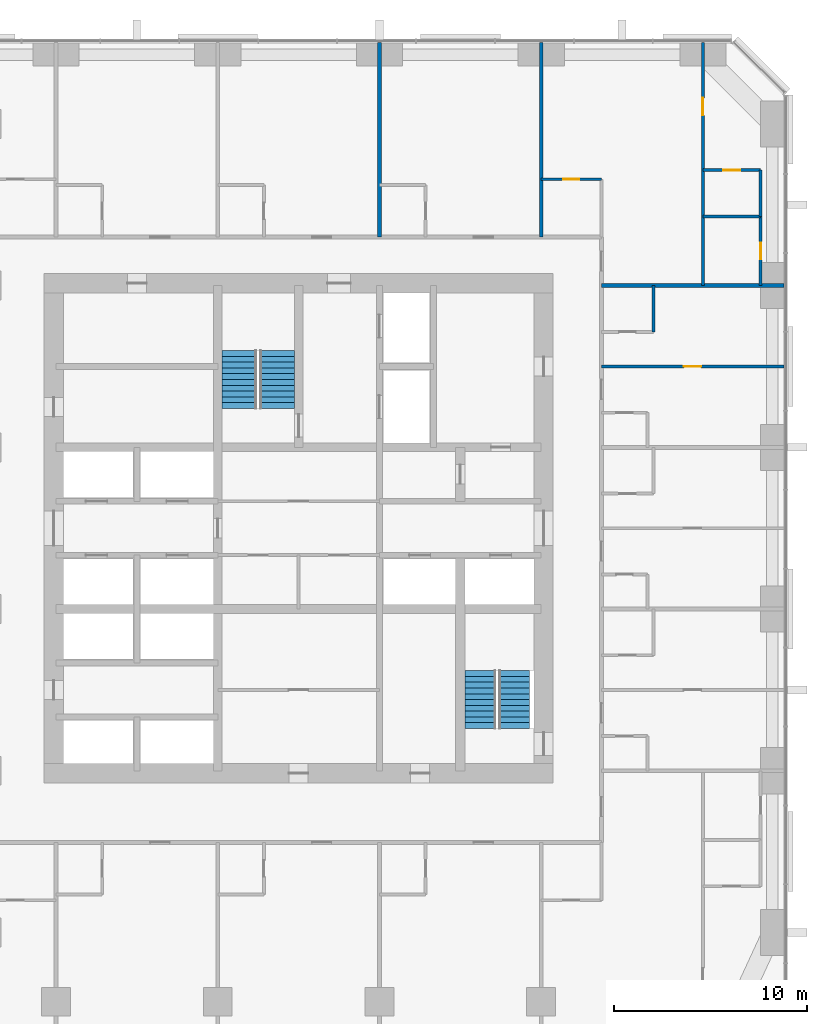
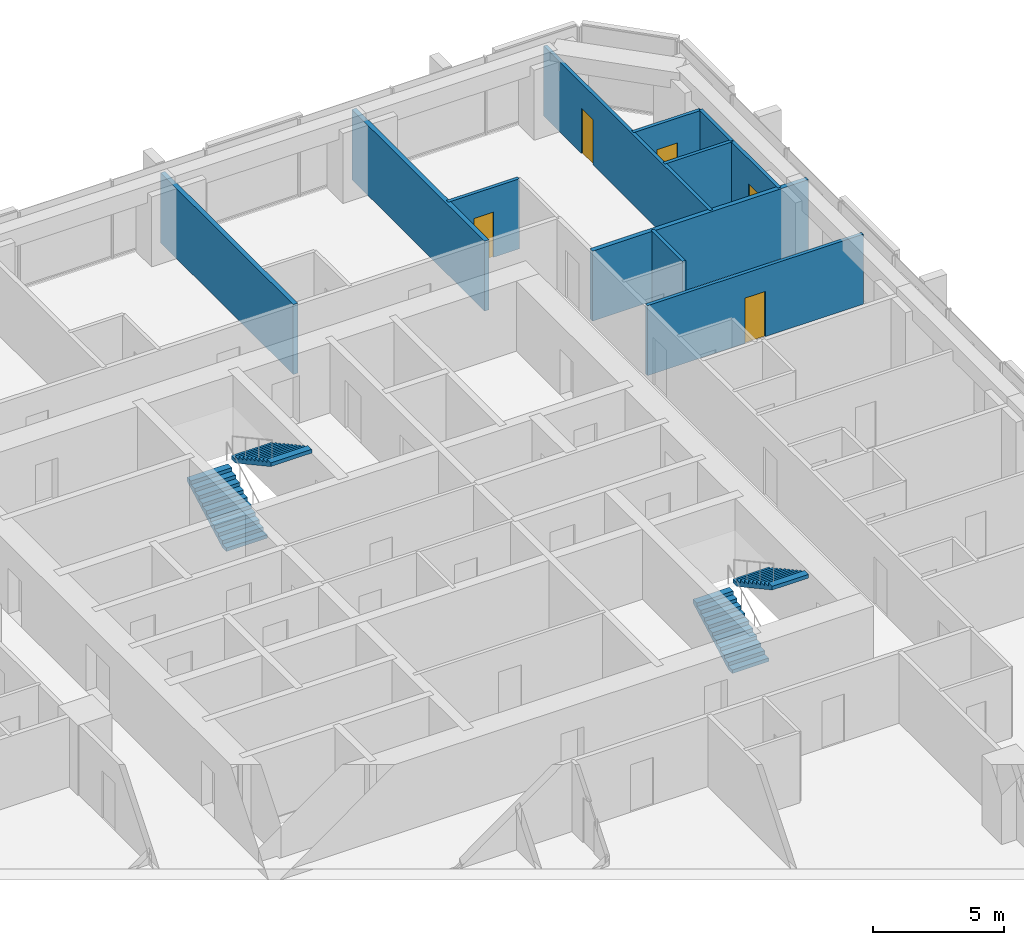
# One storey, part 12 of 13: 11 walls, 5 doors, 4 stair flights, 5 openings, 2 elements without a shape of their own.
"""IFC4 building model written with IfcOpenShell, lengths in metres."""

from ifc_helpers import new_model, si_unit, direction, frame, frame_2d, origin, place, context, subcontext, project, spatial, polyline, rectangle, outline, extrude, material, layer, layer_set, type_object, element, fill, aggregate, save


model = new_model("IFC4")

# Units and contexts
model_context = context("Model", 3, precision=1e-05, world=origin(), true_north=direction((0.0, 1.0)))
body_context = subcontext(model_context, "Body", "Model", "MODEL_VIEW")
ifc_project = project(units=[si_unit("LENGTHUNIT", "METRE"), si_unit("AREAUNIT", "SQUARE_METRE"), si_unit("VOLUMEUNIT", "CUBIC_METRE"), si_unit("PLANEANGLEUNIT", "RADIAN"), si_unit("MASSUNIT", "GRAM", prefix="KILO")], contexts=[model_context])

# Site, building, storey
site_placement = place(None, origin())
site = spatial("IfcSite", under=ifc_project, at=site_placement, CompositionType="ELEMENT")
building_placement = place(site_placement, origin())
building = spatial("IfcBuilding", under=site, at=building_placement, Name="Dunama Terrace Hotel", CompositionType="ELEMENT")
storey_placement = place(building_placement, frame((0.0, 0.0, 118.800048828125)))
storey = spatial("IfcBuildingStorey", under=building, at=storey_placement, Name="L30", CompositionType="ELEMENT", Elevation=118.800048828125)

# Wall
ifc_material_1 = material(Name="Gypsum board partition", Category="masonry")
ifc_layer_1 = layer(ifc_material_1, 0.14990234375)
ifc_layer_set_1 = layer_set([ifc_layer_1], Name="Bathroom partition 150")
wall_type_1 = type_object("IfcWallType", Name="Bathroom partition 150", PredefinedType="PARTITIONING", material=ifc_layer_set_1)
wall_1_placement = place(storey_placement, frame((47.824951171875, 39.60009765625, 0.0), z_axis=(0.0, 0.0, 1.0), x_axis=(0.0, 1.0, 0.0)))
element("IfcWall", 1, at=wall_1_placement, inside=storey, type_object=wall_type_1, Name="Bathroom partition 150 L30", PredefinedType="PARTITIONING", context=body_context, shape_type="SweptSolid", body=[
    extrude(rectangle(XDim=2.39990234375, YDim=0.14990234375, at=frame_2d((1.199951171875, 0.0))), origin(), (0.0, 0.0, 1.0), 3.25),
])

# Wall, opening, door
wall_2_placement = place(storey_placement, frame((53.39990234375, 42.0, 0.0), z_axis=(0.0, 0.0, 1.0), x_axis=(0.0, 1.0, 0.0)))
wall_2 = element("IfcWall", 2, at=wall_2_placement, inside=storey, type_object=wall_type_1, Name="Bathroom partition 150 L30", PredefinedType="PARTITIONING", context=body_context, shape_type="SweptSolid", body=[
    extrude(rectangle(XDim=3.60009765625, YDim=0.14990234375, at=frame_2d((1.800048828125, 0.0))), origin(), (0.0, 0.0, 1.0), 3.25),
])
opening_1_placement = place(wall_2_placement, frame((1.375, 0.0, 0.0)))
opening_1 = element("IfcOpeningElement", 3, at=opening_1_placement, cuts=wall_2, Name="Opening L30-054", PredefinedType="OPENING", context=body_context, shape_type="SweptSolid", body=[
    extrude(rectangle(XDim=0.85009765625, YDim=2.10009765625, at=frame_2d((0.425048828125, 1.050048828125))), frame((0.0, 0.0849609375, 0.0), z_axis=(0.0, -1.0, 0.0), x_axis=(1.0, 0.0, 0.0)), (0.0, 0.0, 1.0), 0.169921875),
])
ifc_material_2 = material(Name="Timber door with steel frame", Category="steel")
door_type_1 = type_object("IfcDoorType", Name="Bathroom door 850", OperationType="SINGLE_SWING_LEFT", PredefinedType="DOOR", material=ifc_material_2)
door_1_placement = place(opening_1_placement, origin())
door_1 = element("IfcDoor", 4, at=door_1_placement, inside=storey, type_object=door_type_1, Name="Door to en-suite bathroom L30-054, type D2", OperationType="SINGLE_SWING_LEFT", OverallHeight=2.10009765625, OverallWidth=0.85009765625, PredefinedType="DOOR", context=body_context, shape_type="SweptSolid", body=[
    extrude(rectangle(XDim=0.85009765625, YDim=2.10009765625, at=frame_2d((0.425048828125, 1.050048828125))), frame((0.0, 0.02490234375, 0.0), z_axis=(0.0, -1.0, 0.0), x_axis=(1.0, 0.0, 0.0)), (0.0, 0.0, 1.0), 0.050048828125),
])
fill(opening_1, door_1)

wall_3_placement = place(storey_placement, frame((42.0, 47.52490234375, 0.0), z_axis=(0.0, 0.0, 1.0), x_axis=(1.0, 0.0, 0.0)))
wall_3 = element("IfcWall", 5, at=wall_3_placement, inside=storey, type_object=wall_type_1, Name="Bathroom partition 150 L30", PredefinedType="PARTITIONING", context=body_context, shape_type="SweptSolid", body=[
    extrude(rectangle(XDim=3.125, YDim=0.14990234375, at=frame_2d((1.5625, 0.0))), origin(), (0.0, 0.0, 1.0), 3.25),
])
opening_2_placement = place(wall_3_placement, frame((1.137939453125, 0.0, 0.0)))
opening_2 = element("IfcOpeningElement", 6, at=opening_2_placement, cuts=wall_3, Name="Opening L30-052", PredefinedType="OPENING", context=body_context, shape_type="SweptSolid", body=[
    extrude(rectangle(XDim=0.85009765625, YDim=2.10009765625, at=frame_2d((0.425048828125, 1.050048828125))), frame((0.0, 0.0849609375, 0.0), z_axis=(0.0, -1.0, 0.0), x_axis=(1.0, 0.0, 0.0)), (0.0, 0.0, 1.0), 0.169921875),
])
door_2_placement = place(opening_2_placement, frame((0.85009765625, 0.0, 0.0), z_axis=(0.0, 0.0, 1.0), x_axis=(-1.0, 0.0, 0.0)))
door_2 = element("IfcDoor", 7, at=door_2_placement, inside=storey, type_object=door_type_1, Name="Door to powder room L30-052, type D2", OperationType="SINGLE_SWING_RIGHT", OverallHeight=2.10009765625, OverallWidth=0.85009765625, PredefinedType="DOOR", context=body_context, shape_type="SweptSolid", body=[
    extrude(rectangle(XDim=0.85009765625, YDim=2.10009765625, at=frame_2d((0.425048828125, 1.050048828125))), frame((0.0, 0.025146484375, 0.0), z_axis=(0.0, -1.0, 0.0), x_axis=(1.0, 0.0, 0.0)), (0.0, 0.0, 1.0), 0.050048828125),
])
fill(opening_2, door_2)

# Walls
ifc_material_3 = material(Name="Concrete blockwork", Category="masonry")
ifc_layer_2 = layer(ifc_material_3, 0.199951171875)
ifc_layer_set_2 = layer_set([ifc_layer_2], Name="Party wall 200")
wall_type_2 = type_object("IfcWallType", Name="Party wall 200", PredefinedType="PARTITIONING", material=ifc_layer_set_2)
for number, where, z_axis, x_axis, name in (
    (8, (33.60009765625, 44.52490234375, 0.0), (0.0, 0.0, 1.0), (0.0, 1.0, 0.0), "Party wall 200 L30"),
    (9, (42.0, 44.52490234375, 0.0), (0.0, 0.0, 1.0), (0.0, 1.0, 0.0), "Party wall 200 L30"),
):
    element("IfcWall", number, at=place(storey_placement, frame(where, z_axis=z_axis, x_axis=x_axis)), inside=storey, type_object=wall_type_2, Name=name, PredefinedType="PARTITIONING", context=body_context, shape_type="SweptSolid", body=[
        extrude(rectangle(XDim=10.093017578125, YDim=0.199951171875, at=frame_2d((5.04638671875, 0.0))), origin(), (0.0, 0.0, 1.0), 3.25),
    ])
wall_4_placement = place(storey_placement, frame((45.125, 42.0, 0.0), z_axis=(0.0, 0.0, 1.0), x_axis=(1.0, 0.0, 0.0)))
element("IfcWall", 10, at=wall_4_placement, inside=storey, type_object=wall_type_2, Name="Party wall 200 L30", PredefinedType="PARTITIONING", context=body_context, shape_type="SweptSolid", body=[
    extrude(rectangle(XDim=9.492919921875, YDim=0.199951171875, at=frame_2d((4.74658203125, 0.0))), origin(), (0.0, 0.0, 1.0), 3.25),
])

# Wall, opening, door
ifc_material_4 = material(Name="Gypsum board partition", Category="masonry")
ifc_layer_3 = layer(ifc_material_4, 0.14990234375)
ifc_layer_set_3 = layer_set([ifc_layer_3], Name="Room partition 150")
wall_type_3 = type_object("IfcWallType", Name="Room partition 150", PredefinedType="PARTITIONING", material=ifc_layer_set_3)
wall_5_placement = place(storey_placement, frame((50.39990234375, 42.0, 0.0), z_axis=(0.0, 0.0, 1.0), x_axis=(0.0, 1.0, 0.0)))
wall_5 = element("IfcWall", 11, at=wall_5_placement, inside=storey, type_object=wall_type_3, Name="Room partition 150 L30", PredefinedType="PARTITIONING", context=body_context, shape_type="SweptSolid", body=[
    extrude(rectangle(XDim=12.617919921875, YDim=0.14990234375, at=frame_2d((6.30908203125, 0.0))), origin(), (0.0, 0.0, 1.0), 3.25),
])
opening_3_placement = place(wall_5_placement, frame((8.85009765625, 0.0, 0.0)))
opening_3 = element("IfcOpeningElement", 12, at=opening_3_placement, cuts=wall_5, Name="Opening L30-053", PredefinedType="OPENING", context=body_context, shape_type="SweptSolid", body=[
    extrude(rectangle(XDim=0.89990234375, YDim=2.10009765625, at=frame_2d((0.449951171875, 1.050048828125))), frame((0.0, 0.0849609375, 0.0), z_axis=(0.0, -1.0, 0.0), x_axis=(1.0, 0.0, 0.0)), (0.0, 0.0, 1.0), 0.169921875),
])
ifc_material_5 = material(Name="Timber door with steel frame", Category="steel")
door_type_2 = type_object("IfcDoorType", Name="Suite internal door 900", OperationType="SINGLE_SWING_LEFT", PredefinedType="DOOR", material=ifc_material_5)
door_3_placement = place(opening_3_placement, frame((0.89990234375, 0.0, 0.0), z_axis=(0.0, 0.0, 1.0), x_axis=(-1.0, 0.0, 0.0)))
door_3 = element("IfcDoor", 13, at=door_3_placement, inside=storey, type_object=door_type_2, Name="Door to corner suite bedroom L30-053, type D16", OperationType="SINGLE_SWING_LEFT", OverallHeight=2.10009765625, OverallWidth=0.89990234375, PredefinedType="DOOR", context=body_context, shape_type="SweptSolid", body=[
    extrude(rectangle(XDim=0.89990234375, YDim=2.10009765625, at=frame_2d((0.449951171875, 1.050048828125))), frame((0.0, 0.025146484375, 0.0), z_axis=(0.0, -1.0, 0.0), x_axis=(1.0, 0.0, 0.0)), (0.0, 0.0, 1.0), 0.050048828125),
])
fill(opening_3, door_3)

# Wall
wall_6_placement = place(storey_placement, frame((53.39990234375, 45.60009765625, 0.0), z_axis=(0.0, 0.0, 1.0), x_axis=(0.0, 1.0, 0.0)))
element("IfcWall", 14, at=wall_6_placement, inside=storey, type_object=wall_type_3, Name="Room partition 150 L30", PredefinedType="PARTITIONING", context=body_context, shape_type="SweptSolid", body=[
    extrude(rectangle(XDim=2.39990234375, YDim=0.14990234375, at=frame_2d((1.199951171875, 0.0))), origin(), (0.0, 0.0, 1.0), 3.25),
])

# Wall, opening, door
wall_7_placement = place(storey_placement, frame((45.125, 37.800048828125, 0.0), z_axis=(0.0, 0.0, 1.0), x_axis=(1.0, 0.0, 0.0)))
wall_7 = element("IfcWall", 15, at=wall_7_placement, inside=storey, type_object=wall_type_3, Name="Room partition 150 L30", PredefinedType="PARTITIONING", context=body_context, shape_type="SweptSolid", body=[
    extrude(rectangle(XDim=9.492919921875, YDim=0.14990234375, at=frame_2d((4.74658203125, 0.0))), origin(), (0.0, 0.0, 1.0), 3.25),
])
opening_4_placement = place(wall_7_placement, frame((4.287109375, 0.0, 0.0)))
opening_4 = element("IfcOpeningElement", 16, at=opening_4_placement, cuts=wall_7, Name="Opening L30-027", PredefinedType="OPENING", context=body_context, shape_type="SweptSolid", body=[
    extrude(rectangle(XDim=0.89990234375, YDim=2.10009765625, at=frame_2d((0.449951171875, 1.050048828125))), frame((0.0, 0.0849609375, 0.0), z_axis=(0.0, -1.0, 0.0), x_axis=(1.0, 0.0, 0.0)), (0.0, 0.0, 1.0), 0.169921875),
])
door_4_placement = place(opening_4_placement, origin())
door_4 = element("IfcDoor", 17, at=door_4_placement, inside=storey, type_object=door_type_2, Name="Door to premier suite bedroom L30-027, type D16", OperationType="SINGLE_SWING_LEFT", OverallHeight=2.10009765625, OverallWidth=0.89990234375, PredefinedType="DOOR", context=body_context, shape_type="SweptSolid", body=[
    extrude(rectangle(XDim=0.89990234375, YDim=2.10009765625, at=frame_2d((0.449951171875, 1.050048828125))), frame((0.0, 0.02490234375, 0.0), z_axis=(0.0, -1.0, 0.0), x_axis=(1.0, 0.0, 0.0)), (0.0, 0.0, 1.0), 0.050048828125),
])
fill(opening_4, door_4)

# Wall
wall_8_placement = place(storey_placement, frame((50.39990234375, 45.60009765625, 0.0), z_axis=(0.0, 0.0, 1.0), x_axis=(1.0, 0.0, 0.0)))
element("IfcWall", 18, at=wall_8_placement, inside=storey, type_object=wall_type_3, Name="Room partition 150 L30", PredefinedType="PARTITIONING", context=body_context, shape_type="SweptSolid", body=[
    extrude(rectangle(XDim=3.0, YDim=0.14990234375, at=frame_2d((1.5, 0.0))), origin(), (0.0, 0.0, 1.0), 3.25),
])

# Wall, opening, door
wall_9_placement = place(storey_placement, frame((50.39990234375, 48.0, 0.0), z_axis=(0.0, 0.0, 1.0), x_axis=(1.0, 0.0, 0.0)))
wall_9 = element("IfcWall", 19, at=wall_9_placement, inside=storey, type_object=wall_type_3, Name="Room partition 150 L30", PredefinedType="PARTITIONING", context=body_context, shape_type="SweptSolid", body=[
    extrude(rectangle(XDim=3.0, YDim=0.14990234375, at=frame_2d((1.5, 0.0))), origin(), (0.0, 0.0, 1.0), 3.25),
])
opening_5_placement = place(wall_9_placement, frame((1.050048828125, 0.0, 0.0)))
opening_5 = element("IfcOpeningElement", 20, at=opening_5_placement, cuts=wall_9, Name="Opening L30-055", PredefinedType="OPENING", context=body_context, shape_type="SweptSolid", body=[
    extrude(rectangle(XDim=0.89990234375, YDim=2.10009765625, at=frame_2d((0.449951171875, 1.050048828125))), frame((0.0, 0.0849609375, 0.0), z_axis=(0.0, -1.0, 0.0), x_axis=(1.0, 0.0, 0.0)), (0.0, 0.0, 1.0), 0.169921875),
])
door_5_placement = place(opening_5_placement, frame((0.89990234375, 0.0, 0.0), z_axis=(0.0, 0.0, 1.0), x_axis=(-1.0, 0.0, 0.0)))
door_5 = element("IfcDoor", 21, at=door_5_placement, inside=storey, type_object=door_type_2, Name="Door to dressing room L30-055, type D16", OperationType="SINGLE_SWING_RIGHT", OverallHeight=2.10009765625, OverallWidth=0.89990234375, PredefinedType="DOOR", context=body_context, shape_type="SweptSolid", body=[
    extrude(rectangle(XDim=0.89990234375, YDim=2.10009765625, at=frame_2d((0.449951171875, 1.050048828125))), frame((0.0, 0.025146484375, 0.0), z_axis=(0.0, -1.0, 0.0), x_axis=(1.0, 0.0, 0.0)), (0.0, 0.0, 1.0), 0.050048828125),
])
fill(opening_5, door_5)

# Stair, stair flights
ifc_material_6 = material(Name="Concrete C40/50", Category="concrete")
stair_type_1 = type_object("IfcStairType", Name="Stair ST1-3600-1800", PredefinedType="HALF_TURN_STAIR", material=ifc_material_6)
stair_1_placement = place(storey_placement, origin())
stair_1 = element("IfcStair", 22, at=stair_1_placement, inside=storey, type_object=stair_type_1, Name="Stair ST1 L30", PredefinedType="HALF_TURN_STAIR")
ifc_material_7 = material(Name="Concrete C40/50", Category="concrete")
stair_flight_type_1 = type_object("IfcStairFlightType", Name="Stair flight ST1-3600-1800", PredefinedType="STRAIGHT", material=ifc_material_7)
stair_flight_1_placement = place(storey_placement, frame((26.324951171875, 35.625, 0.0), z_axis=(0.0, 0.0, 1.0), x_axis=(0.0, 1.0, 0.0)))
stair_flight_1 = element("IfcStairFlight", 23, at=stair_flight_1_placement, type_object=stair_flight_type_1, Name="ST1 flight 1", NumberOfRisers=11, NumberOfTreads=10, PredefinedType="STRAIGHT", RiserHeight=0.163636364, TreadLength=0.3, context=body_context, shape_type="SweptSolid", body=[
    extrude(outline(polyline([(0.0, 0.0), (0.0, 0.16357421875), (0.300048828125, 0.16357421875), (0.300048828125, 0.327392578125), (0.60009765625, 0.327392578125), (0.60009765625, 0.490966796875), (0.89990234375, 0.490966796875), (0.89990234375, 0.654541015625), (1.199951171875, 0.654541015625), (1.199951171875, 0.818115234375), (1.5, 0.818115234375), (1.5, 0.98193359375), (1.800048828125, 0.98193359375), (1.800048828125, 1.1455078125), (2.10009765625, 1.1455078125), (2.10009765625, 1.30908203125), (2.39990234375, 1.30908203125), (2.39990234375, 1.47265625), (2.699951171875, 1.47265625), (2.699951171875, 1.636474609375), (3.0, 1.636474609375), (3.0, 1.800048828125), (3.0, 1.465576171875), (0.31298828125, 0.0), (0.0, 0.0)])), frame((0.0, 0.89990234375, 0.0), z_axis=(0.0, -1.0, 0.0), x_axis=(1.0, 0.0, 0.0)), (0.0, 0.0, 1.0), 1.800048828125),
])
stair_flight_2_placement = place(storey_placement, frame((28.27490234375, 38.625, 1.800048828125), z_axis=(0.0, 0.0, 1.0), x_axis=(0.0, -1.0, 0.0)))
stair_flight_2 = element("IfcStairFlight", 24, at=stair_flight_2_placement, type_object=stair_flight_type_1, Name="ST1 flight 2", NumberOfRisers=11, NumberOfTreads=10, PredefinedType="STRAIGHT", RiserHeight=0.163636364, TreadLength=0.3, context=body_context, shape_type="SweptSolid", body=[
    extrude(outline(polyline([(0.0, 0.0), (0.0, 0.16357421875), (0.300048828125, 0.16357421875), (0.300048828125, 0.327392578125), (0.60009765625, 0.327392578125), (0.60009765625, 0.490966796875), (0.89990234375, 0.490966796875), (0.89990234375, 0.654541015625), (1.199951171875, 0.654541015625), (1.199951171875, 0.818115234375), (1.5, 0.818115234375), (1.5, 0.98193359375), (1.800048828125, 0.98193359375), (1.800048828125, 1.1455078125), (2.10009765625, 1.1455078125), (2.10009765625, 1.30908203125), (2.39990234375, 1.30908203125), (2.39990234375, 1.47265625), (2.699951171875, 1.47265625), (2.699951171875, 1.636474609375), (3.0, 1.636474609375), (3.0, 1.800048828125), (3.0, 1.465576171875), (0.31298828125, 0.0), (0.0, 0.0)])), frame((0.0, 0.89990234375, 0.0), z_axis=(0.0, -1.0, 0.0), x_axis=(1.0, 0.0, 0.0)), (0.0, 0.0, 1.0), 1.800048828125),
])
aggregate(stair_1, [stair_flight_1, stair_flight_2])

ifc_material_8 = material(Name="Concrete C40/50", Category="concrete")
stair_type_2 = type_object("IfcStairType", Name="Stair ST2-3600-1600", PredefinedType="HALF_TURN_STAIR", material=ifc_material_8)
stair_2_placement = place(storey_placement, origin())
stair_2 = element("IfcStair", 25, at=stair_2_placement, inside=storey, type_object=stair_type_2, Name="Stair ST2 L30", PredefinedType="HALF_TURN_STAIR")
ifc_material_9 = material(Name="Concrete C40/50", Category="concrete")
stair_flight_type_2 = type_object("IfcStairFlightType", Name="Stair flight ST2-3600-1600", PredefinedType="STRAIGHT", material=ifc_material_9)
stair_flight_3_placement = place(storey_placement, frame((38.85009765625, 19.0, 0.0), z_axis=(0.0, 0.0, 1.0), x_axis=(0.0, 1.0, 0.0)))
stair_flight_3 = element("IfcStairFlight", 26, at=stair_flight_3_placement, type_object=stair_flight_type_2, Name="ST2 flight 1", NumberOfRisers=11, NumberOfTreads=10, PredefinedType="STRAIGHT", RiserHeight=0.163636364, TreadLength=0.3, context=body_context, shape_type="SweptSolid", body=[
    extrude(outline(polyline([(0.0, 0.0), (0.0, 0.16357421875), (0.300048828125, 0.16357421875), (0.300048828125, 0.327392578125), (0.60009765625, 0.327392578125), (0.60009765625, 0.490966796875), (0.89990234375, 0.490966796875), (0.89990234375, 0.654541015625), (1.199951171875, 0.654541015625), (1.199951171875, 0.818115234375), (1.5, 0.818115234375), (1.5, 0.98193359375), (1.800048828125, 0.98193359375), (1.800048828125, 1.1455078125), (2.10009765625, 1.1455078125), (2.10009765625, 1.30908203125), (2.39990234375, 1.30908203125), (2.39990234375, 1.47265625), (2.699951171875, 1.47265625), (2.699951171875, 1.636474609375), (3.0, 1.636474609375), (3.0, 1.800048828125), (3.0, 1.465576171875), (0.31298828125, 0.0), (0.0, 0.0)])), frame((0.0, 0.800048828125, 0.0), z_axis=(0.0, -1.0, 0.0), x_axis=(1.0, 0.0, 0.0)), (0.0, 0.0, 1.0), 1.60009765625),
])
stair_flight_4_placement = place(storey_placement, frame((40.60009765625, 22.0, 1.800048828125), z_axis=(0.0, 0.0, 1.0), x_axis=(0.0, -1.0, 0.0)))
stair_flight_4 = element("IfcStairFlight", 27, at=stair_flight_4_placement, type_object=stair_flight_type_2, Name="ST2 flight 2", NumberOfRisers=11, NumberOfTreads=10, PredefinedType="STRAIGHT", RiserHeight=0.163636364, TreadLength=0.3, context=body_context, shape_type="SweptSolid", body=[
    extrude(outline(polyline([(0.0, 0.0), (0.0, 0.16357421875), (0.300048828125, 0.16357421875), (0.300048828125, 0.327392578125), (0.60009765625, 0.327392578125), (0.60009765625, 0.490966796875), (0.89990234375, 0.490966796875), (0.89990234375, 0.654541015625), (1.199951171875, 0.654541015625), (1.199951171875, 0.818115234375), (1.5, 0.818115234375), (1.5, 0.98193359375), (1.800048828125, 0.98193359375), (1.800048828125, 1.1455078125), (2.10009765625, 1.1455078125), (2.10009765625, 1.30908203125), (2.39990234375, 1.30908203125), (2.39990234375, 1.47265625), (2.699951171875, 1.47265625), (2.699951171875, 1.636474609375), (3.0, 1.636474609375), (3.0, 1.800048828125), (3.0, 1.465576171875), (0.31298828125, 0.0), (0.0, 0.0)])), frame((0.0, 0.800048828125, 0.0), z_axis=(0.0, -1.0, 0.0), x_axis=(1.0, 0.0, 0.0)), (0.0, 0.0, 1.0), 1.60009765625),
])
aggregate(stair_2, [stair_flight_3, stair_flight_4])

save(model, "model.ifc")
